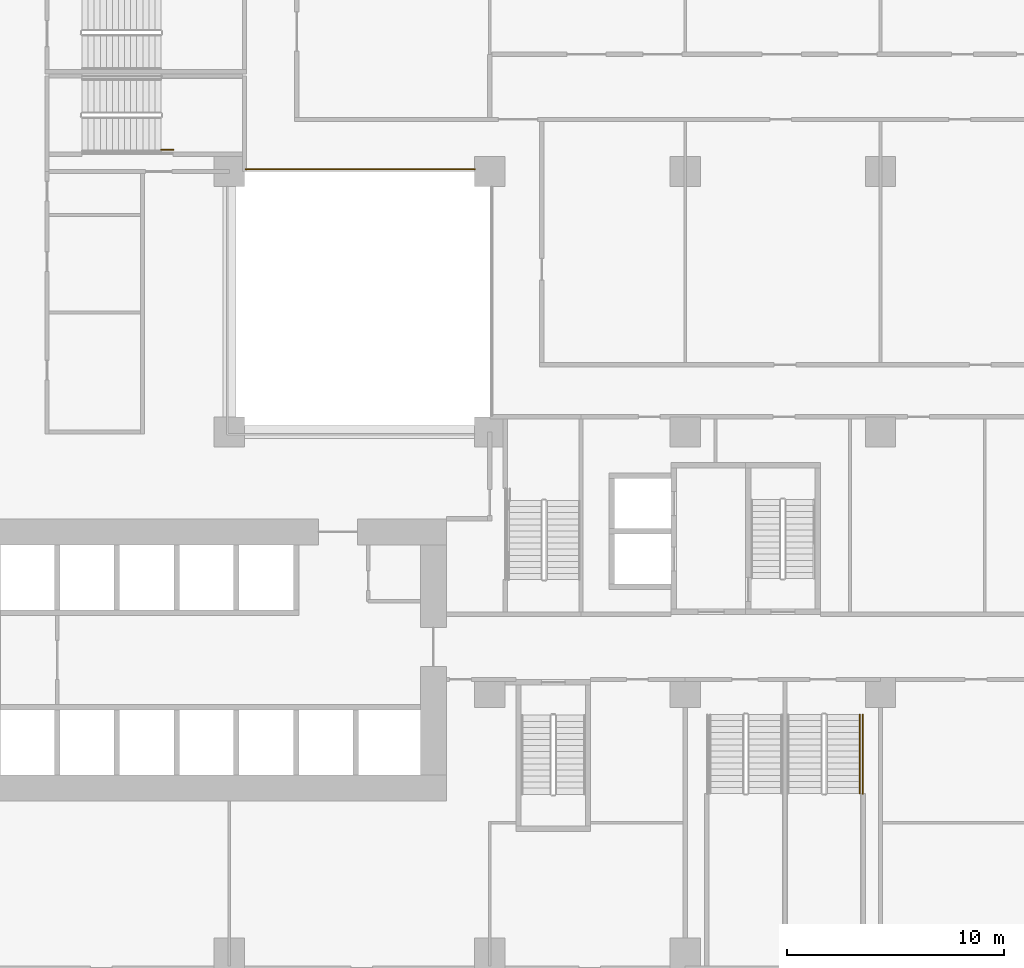
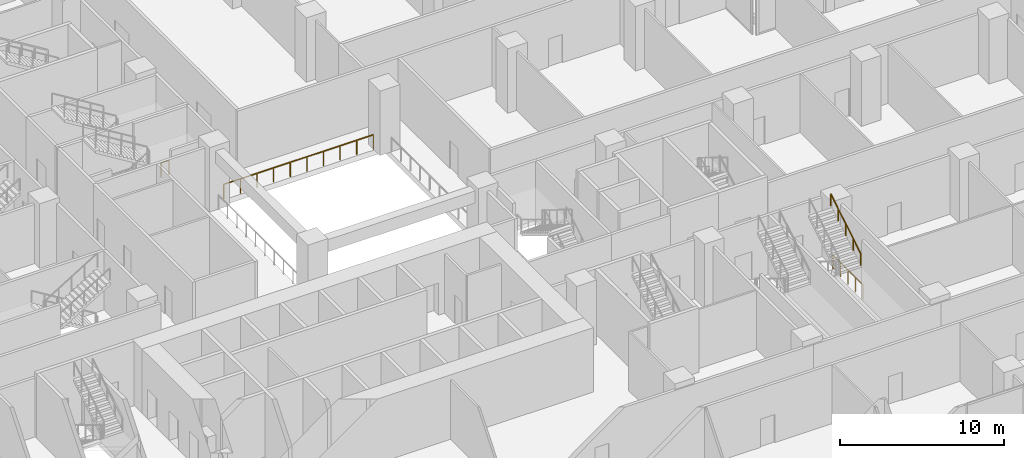
# One storey, part 30 of 31: 4 railings.
"""IFC4 building model written with IfcOpenShell, lengths in metres."""

from ifc_helpers import new_model, si_unit, direction, frame, origin, origin_2d, place, context, subcontext, project, spatial, rectangle, extrude, material, type_object, element, save


model = new_model("IFC4")

# Units and contexts
model_context = context("Model", 3, precision=1e-05, world=origin(), true_north=direction((0.0, 1.0)))
body_context = subcontext(model_context, "Body", "Model", "MODEL_VIEW")
ifc_project = project(units=[si_unit("LENGTHUNIT", "METRE"), si_unit("AREAUNIT", "SQUARE_METRE"), si_unit("VOLUMEUNIT", "CUBIC_METRE"), si_unit("PLANEANGLEUNIT", "RADIAN"), si_unit("MASSUNIT", "GRAM", prefix="KILO")], contexts=[model_context])

# Site, building, storey
site_placement = place(None, origin())
site = spatial("IfcSite", under=ifc_project, at=site_placement, CompositionType="ELEMENT")
building_placement = place(site_placement, origin())
building = spatial("IfcBuilding", under=site, at=building_placement, Name="Chenar Terraces", CompositionType="ELEMENT")
storey_placement = place(building_placement, frame((0.0, 0.0, 12.0)))
storey = spatial("IfcBuildingStorey", under=building, at=storey_placement, Name="L02", CompositionType="ELEMENT", Elevation=12.0)

# Railings
ifc_material_1 = material(Name="Powder-coated steel", Category="steel")
railing_type_1 = type_object("IfcRailingType", Name="Guard 1100 steel rail with glass infill", PredefinedType="GUARDRAIL", material=ifc_material_1)
railing_1_placement = place(storey_placement, frame((24.75, 36.10009765625, 0.0)))
element("IfcRailing", 1, at=railing_1_placement, inside=storey, type_object=railing_type_1, Name="Guard L02-2", PredefinedType="GUARDRAIL", context=body_context, shape_type="SweptSolid", body=[
    extrude(rectangle(XDim=0.06005859375, YDim=0.06005859375, at=origin_2d()), frame((0.0, 0.0, 1.070068359375), z_axis=(1.0, 0.0, 0.0), x_axis=(0.0, 1.0, 0.0)), (0.0, 0.0, 1.0), 10.550048828125),
    extrude(rectangle(XDim=0.050048828125, YDim=0.050048828125, at=origin_2d()), origin(), (0.0, 0.0, 1.0), 1.0400390625),
    extrude(rectangle(XDim=0.050048828125, YDim=0.050048828125, at=origin_2d()), frame((1.172119140625, 0.0, 0.0)), (0.0, 0.0, 1.0), 1.0400390625),
    extrude(rectangle(XDim=0.050048828125, YDim=0.050048828125, at=origin_2d()), frame((2.344482421875, 0.0, 0.0)), (0.0, 0.0, 1.0), 1.0400390625),
    extrude(rectangle(XDim=0.050048828125, YDim=0.050048828125, at=origin_2d()), frame((3.5166015625, 0.0, 0.0)), (0.0, 0.0, 1.0), 1.0400390625),
    extrude(rectangle(XDim=0.050048828125, YDim=0.050048828125, at=origin_2d()), frame((4.68896484375, 0.0, 0.0)), (0.0, 0.0, 1.0), 1.0400390625),
    extrude(rectangle(XDim=0.050048828125, YDim=0.050048828125, at=origin_2d()), frame((5.861083984375, 0.0, 0.0)), (0.0, 0.0, 1.0), 1.0400390625),
    extrude(rectangle(XDim=0.050048828125, YDim=0.050048828125, at=origin_2d()), frame((7.033447265625, 0.0, 0.0)), (0.0, 0.0, 1.0), 1.0400390625),
    extrude(rectangle(XDim=0.050048828125, YDim=0.050048828125, at=origin_2d()), frame((8.20556640625, 0.0, 0.0)), (0.0, 0.0, 1.0), 1.0400390625),
    extrude(rectangle(XDim=0.050048828125, YDim=0.050048828125, at=origin_2d()), frame((9.3779296875, 0.0, 0.0)), (0.0, 0.0, 1.0), 1.0400390625),
    extrude(rectangle(XDim=0.050048828125, YDim=0.050048828125, at=origin_2d()), frame((10.550048828125, 0.0, 0.0)), (0.0, 0.0, 1.0), 1.0400390625),
])
ifc_material_2 = material(Name="Powder-coated steel", Category="steel")
railing_type_2 = type_object("IfcRailingType", Name="Stair guard 1100", PredefinedType="GUARDRAIL", material=ifc_material_2)
railing_2_placement = place(storey_placement, frame((53.18994140625, 7.32421875, 0.0)))
element("IfcRailing", 2, at=railing_2_placement, inside=storey, type_object=railing_type_2, Name="L02 PS2 stair guard 101", PredefinedType="GUARDRAIL", context=body_context, shape_type="SweptSolid", body=[
    extrude(rectangle(XDim=0.048095703125, YDim=0.048095703125, at=origin_2d()), frame((0.0, 0.0, 1.076171875), z_axis=(0.0, 1.0, 0.0), x_axis=(-1.0, 0.0, 0.0)), (0.0, 0.0, 1.0), 3.660888671875),
    extrude(rectangle(XDim=0.0419921875, YDim=0.0419921875, at=origin_2d()), origin(), (0.0, 0.0, 1.0), 1.052001953125),
    extrude(rectangle(XDim=0.0419921875, YDim=0.0419921875, at=origin_2d()), frame((0.0, 0.915283203125, 0.0)), (0.0, 0.0, 1.0), 1.052001953125),
    extrude(rectangle(XDim=0.0419921875, YDim=0.0419921875, at=origin_2d()), frame((0.0, 1.83056640625, 0.0)), (0.0, 0.0, 1.0), 1.052001953125),
    extrude(rectangle(XDim=0.0419921875, YDim=0.0419921875, at=origin_2d()), frame((0.0, 2.74560546875, 0.0)), (0.0, 0.0, 1.0), 1.052001953125),
    extrude(rectangle(XDim=0.0419921875, YDim=0.0419921875, at=origin_2d()), frame((0.0, 3.660888671875, 0.0)), (0.0, 0.0, 1.0), 1.052001953125),
])
railing_3_placement = place(storey_placement, frame((20.85498046875, 37.010009765625, 2.39990234375)))
element("IfcRailing", 3, at=railing_3_placement, inside=storey, type_object=railing_type_2, Name="L02 PS7 stair guard 201", PredefinedType="GUARDRAIL", context=body_context, shape_type="SweptSolid", body=[
    extrude(rectangle(XDim=0.048095703125, YDim=0.048095703125, at=origin_2d()), frame((0.0, 0.0, 1.076171875), z_axis=(1.0, 0.0, 0.0), x_axis=(0.0, 1.0, 0.0)), (0.0, 0.0, 1.0), 0.555908203125),
    extrude(rectangle(XDim=0.0419921875, YDim=0.0419921875, at=origin_2d()), origin(), (0.0, 0.0, 1.0), 1.052001953125),
    extrude(rectangle(XDim=0.0419921875, YDim=0.0419921875, at=origin_2d()), frame((0.555908203125, 0.0, 0.0)), (0.0, 0.0, 1.0), 1.052001953125),
])
ifc_material_3 = material(Name="Powder-coated steel", Category="steel")
railing_type_3 = type_object("IfcRailingType", Name="Stair handrail 900", PredefinedType="HANDRAIL", material=ifc_material_3)
railing_4_placement = place(storey_placement, frame((53.0400390625, 7.344970703125, 2.571533203125)))
element("IfcRailing", 4, at=railing_4_placement, inside=storey, type_object=railing_type_3, Name="L02 PS2 stair handrail 2", PredefinedType="HANDRAIL", context=body_context, shape_type="SweptSolid", body=[
    extrude(rectangle(XDim=0.048095703125, YDim=0.048095703125, at=origin_2d()), frame((0.0, 0.0, 0.8759765625), z_axis=(0.0, 0.852865859571, 0.52213008492), x_axis=(-1.0, 0.0, 0.0)), (0.0, 0.0, 1.0), 4.26806640625),
    extrude(rectangle(XDim=0.0419921875, YDim=0.0419921875, at=origin_2d()), origin(), (0.0, 0.0, 1.0), 0.851806640625),
    extrude(rectangle(XDim=0.0419921875, YDim=0.0419921875, at=origin_2d()), frame((0.0, 0.91015625, 0.55712890625)), (0.0, 0.0, 1.0), 0.851806640625),
    extrude(rectangle(XDim=0.0419921875, YDim=0.0419921875, at=origin_2d()), frame((0.0, 1.820068359375, 1.1142578125)), (0.0, 0.0, 1.0), 0.851806640625),
    extrude(rectangle(XDim=0.0419921875, YDim=0.0419921875, at=origin_2d()), frame((0.0, 2.72998046875, 1.67138671875)), (0.0, 0.0, 1.0), 0.851806640625),
    extrude(rectangle(XDim=0.0419921875, YDim=0.0419921875, at=origin_2d()), frame((0.0, 3.64013671875, 2.228515625)), (0.0, 0.0, 1.0), 0.851806640625),
])

save(model, "model.ifc")
